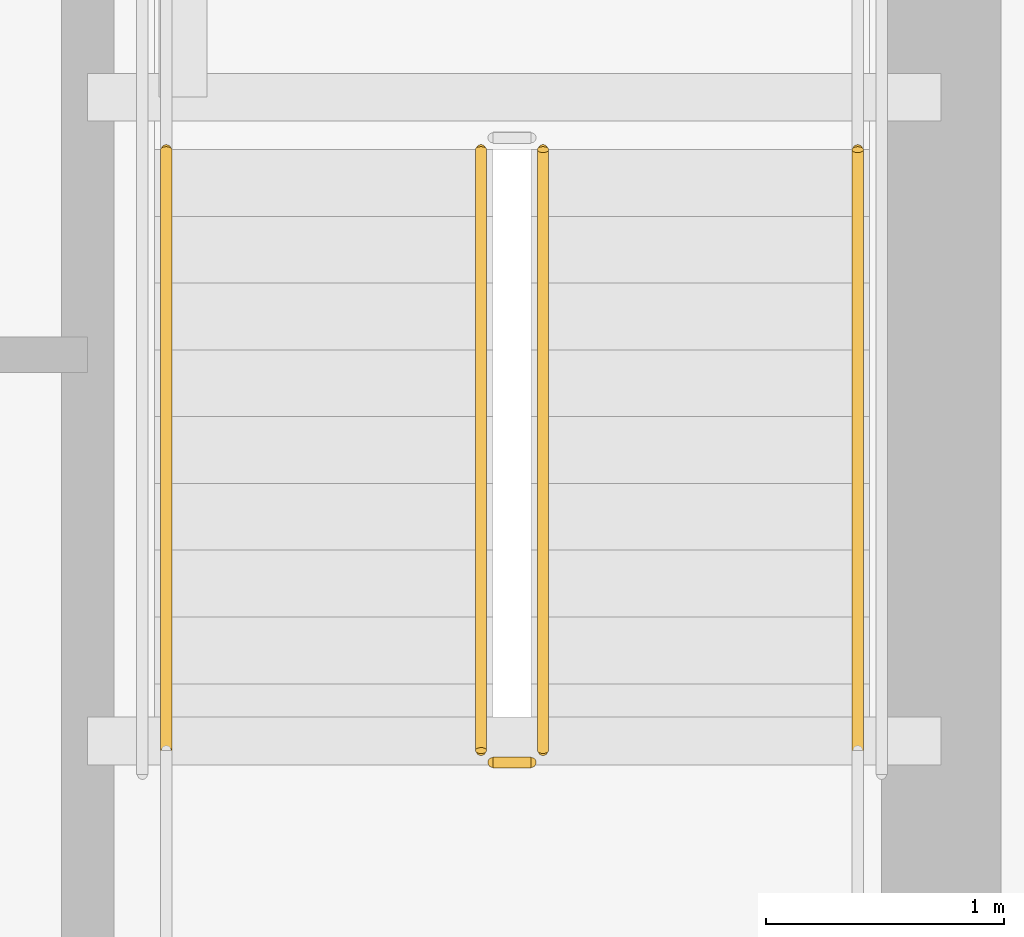
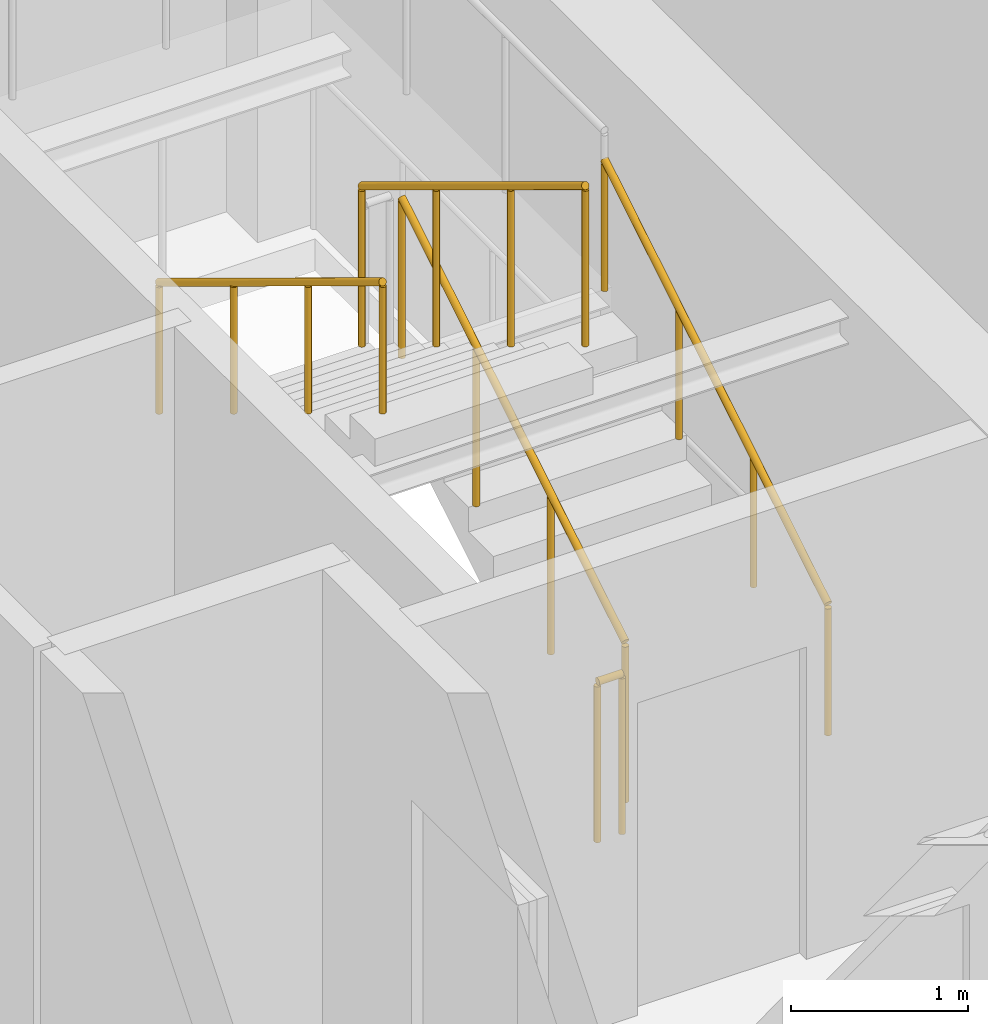
# One storey, part 30 of 33: 5 railings.
"""IFC4 building model written with IfcOpenShell, lengths in metres."""

from ifc_helpers import new_model, si_unit, direction, frame, origin, origin_2d, place, context, subcontext, project, spatial, circle, extrude, material, layer, layer_set, type_object, element, save


model = new_model("IFC4")

# Units and contexts
model_context = context("Model", 3, precision=1e-05, world=origin(), true_north=direction((0.0, 1.0)))
body_context = subcontext(model_context, "Body", "Model", "MODEL_VIEW")
ifc_project = project(units=[si_unit("LENGTHUNIT", "METRE"), si_unit("AREAUNIT", "SQUARE_METRE"), si_unit("VOLUMEUNIT", "CUBIC_METRE"), si_unit("PLANEANGLEUNIT", "RADIAN"), si_unit("MASSUNIT", "GRAM", prefix="KILO")], contexts=[model_context])

# Site, building, storey
site_placement = place(None, origin())
site = spatial("IfcSite", under=ifc_project, at=site_placement, CompositionType="ELEMENT")
building_placement = place(site_placement, origin())
building = spatial("IfcBuilding", under=site, at=building_placement, Name="Yelkora Congress Tower", CompositionType="ELEMENT")
storey_placement = place(building_placement, frame((0.0, 0.0, 37.199951171875)))
storey = spatial("IfcBuildingStorey", under=building, at=storey_placement, Name="L08", CompositionType="ELEMENT", Elevation=37.199951171875)

# Railings
ifc_material_1 = material(Name="Painted galvanised steel stair well guard with vertical infill", Category="steel")
ifc_layer_1 = layer(ifc_material_1, 0.06005859375)
ifc_layer_set_1 = layer_set([ifc_layer_1], Name="Painted galvanised steel stair well guard with vertical infill")
railing_type_1 = type_object("IfcRailingType", Name="RAIL-STAIR-GUARD-1120", PredefinedType="GUARDRAIL", material=ifc_layer_set_1)
railing_1_placement = place(storey_placement, frame((52.090087890625, 39.60009765625, 0.170166015625)))
element("IfcRailing", 1, at=railing_1_placement, inside=storey, type_object=railing_type_1, Name="ST-02 L08 Stair Well Guardrail 1", PredefinedType="GUARDRAIL", context=body_context, shape_type="SweptSolid", body=[
    extrude(circle(Radius=0.02392578125, at=origin_2d()), frame((0.0, 0.0, 1.09619140625), z_axis=(0.0, 0.854821627497, 0.518921945155), x_axis=(-1.0, 0.0, 0.0)), (0.0, 0.0, 1.0), 2.947998046875),
    extrude(circle(Radius=0.02099609375, at=origin_2d()), origin(), (0.0, 0.0, 1.0), 1.072021484375),
    extrude(circle(Radius=0.02099609375, at=origin_2d()), frame((0.0, 0.840087890625, 0.510009765625)), (0.0, 0.0, 1.0), 1.072021484375),
    extrude(circle(Radius=0.02099609375, at=origin_2d()), frame((0.0, 1.679931640625, 1.019775390625)), (0.0, 0.0, 1.0), 1.072021484375),
    extrude(circle(Radius=0.02099609375, at=origin_2d()), frame((0.0, 2.52001953125, 1.52978515625)), (0.0, 0.0, 1.0), 1.072021484375),
])
railing_2_placement = place(storey_placement, frame((51.830078125, 42.1201171875, 1.8701171875)))
element("IfcRailing", 2, at=railing_2_placement, inside=storey, type_object=railing_type_1, Name="ST-02 L08 Stair Well Guardrail 6", PredefinedType="GUARDRAIL", context=body_context, shape_type="SweptSolid", body=[
    extrude(circle(Radius=0.02392578125, at=origin_2d()), frame((0.0, 0.0, 1.09619140625), z_axis=(0.0, -0.85478489116, 0.518982456201), x_axis=(1.0, 0.0, 0.0)), (0.0, 0.0, 1.0), 2.9482421875),
    extrude(circle(Radius=0.02099609375, at=origin_2d()), origin(), (0.0, 0.0, 1.0), 1.072021484375),
    extrude(circle(Radius=0.02099609375, at=origin_2d()), frame((0.0, -0.840087890625, 0.510009765625)), (0.0, 0.0, 1.0), 1.072021484375),
    extrude(circle(Radius=0.02099609375, at=origin_2d()), frame((0.0, -1.679931640625, 1.02001953125)), (0.0, 0.0, 1.0), 1.072021484375),
    extrude(circle(Radius=0.02099609375, at=origin_2d()), frame((0.0, -2.52001953125, 1.530029296875)), (0.0, 0.0, 1.0), 1.072021484375),
])
railing_3_placement = place(storey_placement, frame((52.0400390625, 39.550048828125, 0.0)))
element("IfcRailing", 3, at=railing_3_placement, inside=storey, type_object=railing_type_1, Name="ST-02 L08 Stair Well Guardrail 7", PredefinedType="GUARDRAIL", context=body_context, shape_type="SweptSolid", body=[
    extrude(circle(Radius=0.02392578125, at=origin_2d()), frame((0.0, 0.0, 1.09619140625), z_axis=(-1.0, 0.0, 0.0), x_axis=(0.0, -1.0, 0.0)), (0.0, 0.0, 1.0), 0.16015625),
    extrude(circle(Radius=0.02099609375, at=origin_2d()), origin(), (0.0, 0.0, 1.0), 1.072021484375),
    extrude(circle(Radius=0.02099609375, at=origin_2d()), frame((-0.16015625, 0.0, 0.0)), (0.0, 0.0, 1.0), 1.072021484375),
])
ifc_material_2 = material(Name="Brushed stainless steel tubular handrail", Category="steel")
ifc_layer_2 = layer(ifc_material_2, 0.050048828125)
ifc_layer_set_2 = layer_set([ifc_layer_2], Name="Brushed stainless steel tubular handrail")
railing_type_2 = type_object("IfcRailingType", Name="RAIL-STAIR-HAND-920", PredefinedType="HANDRAIL", material=ifc_layer_set_2)
railing_4_placement = place(storey_placement, frame((53.409912109375, 39.60009765625, 0.170166015625)))
element("IfcRailing", 4, at=railing_4_placement, inside=storey, type_object=railing_type_2, Name="ST-02 L08 Pitch Handrail 1", PredefinedType="HANDRAIL", context=body_context, shape_type="SweptSolid", body=[
    extrude(circle(Radius=0.02392578125, at=origin_2d()), frame((0.0, 0.0, 0.89599609375), z_axis=(0.0, 0.854821627497, 0.518921945155), x_axis=(-1.0, 0.0, 0.0)), (0.0, 0.0, 1.0), 2.947998046875),
    extrude(circle(Radius=0.02099609375, at=origin_2d()), origin(), (0.0, 0.0, 1.0), 0.871826171875),
    extrude(circle(Radius=0.02099609375, at=origin_2d()), frame((0.0, 0.840087890625, 0.510009765625)), (0.0, 0.0, 1.0), 0.871826171875),
    extrude(circle(Radius=0.02099609375, at=origin_2d()), frame((0.0, 1.679931640625, 1.019775390625)), (0.0, 0.0, 1.0), 0.871826171875),
    extrude(circle(Radius=0.02099609375, at=origin_2d()), frame((0.0, 2.52001953125, 1.52978515625)), (0.0, 0.0, 1.0), 0.871826171875),
])
railing_5_placement = place(storey_placement, frame((50.510009765625, 42.1201171875, 1.8701171875)))
element("IfcRailing", 5, at=railing_5_placement, inside=storey, type_object=railing_type_2, Name="ST-02 L08 Pitch Handrail 2", PredefinedType="HANDRAIL", context=body_context, shape_type="SweptSolid", body=[
    extrude(circle(Radius=0.02392578125, at=origin_2d()), frame((0.0, 0.0, 0.89599609375), z_axis=(0.0, -0.85478489116, 0.518982456201), x_axis=(1.0, 0.0, 0.0)), (0.0, 0.0, 1.0), 2.9482421875),
    extrude(circle(Radius=0.02099609375, at=origin_2d()), origin(), (0.0, 0.0, 1.0), 0.871826171875),
    extrude(circle(Radius=0.02099609375, at=origin_2d()), frame((0.0, -0.840087890625, 0.510009765625)), (0.0, 0.0, 1.0), 0.871826171875),
    extrude(circle(Radius=0.02099609375, at=origin_2d()), frame((0.0, -1.679931640625, 1.02001953125)), (0.0, 0.0, 1.0), 0.871826171875),
    extrude(circle(Radius=0.02099609375, at=origin_2d()), frame((0.0, -2.52001953125, 1.530029296875)), (0.0, 0.0, 1.0), 0.871826171875),
])

save(model, "model.ifc")
